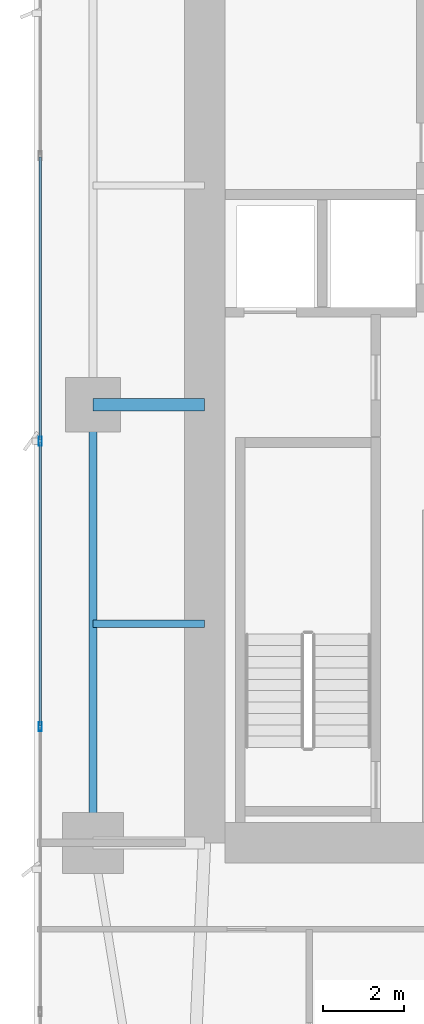
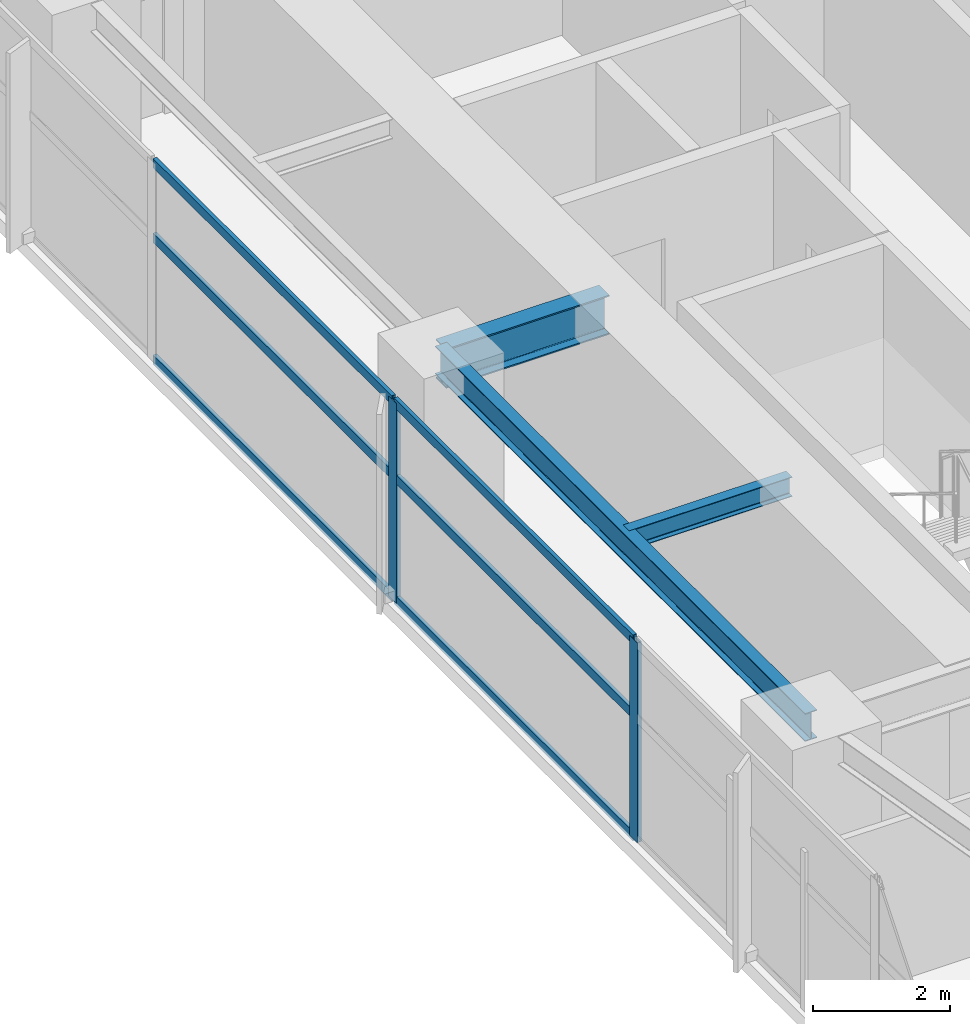
# One storey, part 8 of 30: 8 members, 3 beams, 1 element without a shape of its own.
"""IFC4 building model written with IfcOpenShell, lengths in metres."""

from ifc_helpers import new_model, si_unit, direction, frame, origin, origin_2d, place, context, subcontext, project, spatial, hollow_rectangle, i_section, extrude, material, layer, layer_set, material_profile, profile_set, type_object, element, aggregate, save


model = new_model("IFC4")

# Units and contexts
model_context = context("Model", 3, precision=1e-05, world=origin(), true_north=direction((0.0, 1.0)))
body_context = subcontext(model_context, "Body", "Model", "MODEL_VIEW")
ifc_project = project(units=[si_unit("LENGTHUNIT", "METRE"), si_unit("AREAUNIT", "SQUARE_METRE"), si_unit("VOLUMEUNIT", "CUBIC_METRE"), si_unit("PLANEANGLEUNIT", "RADIAN"), si_unit("MASSUNIT", "GRAM", prefix="KILO")], contexts=[model_context])

# Site, building, storey
site_placement = place(None, origin())
site = spatial("IfcSite", under=ifc_project, at=site_placement, CompositionType="ELEMENT")
building_placement = place(site_placement, origin())
building = spatial("IfcBuilding", under=site, at=building_placement, Name="Calvorn Quay Hotel", CompositionType="ELEMENT")
storey_placement = place(building_placement, frame((0.0, 0.0, 30.800048828125)))
storey = spatial("IfcBuildingStorey", under=building, at=storey_placement, Name="L06", CompositionType="ELEMENT", Elevation=30.800048828125)

# Beams
ifc_material_1 = material(Name="Steel Q390GJC", Category="steel")
ifc_material_profile_1 = material_profile(ifc_material_1, i_section(OverallWidth=0.300048828125, OverallDepth=0.699951171875, WebThickness=0.012939453125, FlangeThickness=0.02392578125, FilletRadius=0.02392578125, at=origin_2d()), Name="HN700x300x13x24")
ifc_profile_set_1 = profile_set([ifc_material_profile_1], Name="Steel Q390GJC")
beam_type_1 = type_object("IfcBeamType", Name="BM-GIRD-MAIN", PredefinedType="BEAM", material=ifc_profile_set_1)
beam_1_placement = place(storey_placement, frame((1.449951171875, 27.60009765625, 3.18994140625), z_axis=(1.0, 0.0, 0.0), x_axis=(0.0, 1.0, 0.0)))
element("IfcBeam", 1, at=beam_1_placement, inside=storey, type_object=beam_type_1, Name="Beam BG-L06-W2", PredefinedType="BEAM", context=body_context, shape_type="SweptSolid", body=[
    extrude(i_section(OverallWidth=0.300048828125, OverallDepth=0.699951171875, WebThickness=0.012939453125, FlangeThickness=0.02392578125, FilletRadius=0.02392578125, at=origin_2d()), origin(), (0.0, 0.0, 1.0), 2.75),
])
ifc_material_2 = material(Name="Steel Q355B", Category="steel")
ifc_material_profile_2 = material_profile(ifc_material_2, i_section(OverallWidth=0.175048828125, OverallDepth=0.35009765625, WebThickness=0.007080078125, FlangeThickness=0.010986328125, FilletRadius=0.013916015625, at=origin_2d()), Name="HN350x175x7x11")
ifc_profile_set_2 = profile_set([ifc_material_profile_2], Name="Steel Q355B")
beam_type_2 = type_object("IfcBeamType", Name="BM-JOIST-SEC", PredefinedType="JOIST", material=ifc_profile_set_2)
beam_2_placement = place(storey_placement, frame((1.449951171875, 22.199951171875, 3.364990234375), z_axis=(1.0, 0.0, 0.0), x_axis=(0.0, 1.0, 0.0)))
element("IfcBeam", 2, at=beam_2_placement, inside=storey, type_object=beam_type_2, Name="Beam BJ-L06-W3", PredefinedType="JOIST", context=body_context, shape_type="SweptSolid", body=[
    extrude(i_section(OverallWidth=0.175048828125, OverallDepth=0.35009765625, WebThickness=0.007080078125, FlangeThickness=0.010986328125, FilletRadius=0.013916015625, at=origin_2d()), origin(), (0.0, 0.0, 1.0), 2.75),
])
ifc_material_3 = material(Name="Steel Q355B", Category="steel")
ifc_material_profile_3 = material_profile(ifc_material_3, i_section(OverallWidth=0.199951171875, OverallDepth=0.5, WebThickness=0.010009765625, FlangeThickness=0.01611328125, FilletRadius=0.01611328125, at=origin_2d()), Name="HN500x200x10x16")
ifc_profile_set_3 = profile_set([ifc_material_profile_3], Name="Steel Q355B")
beam_type_3 = type_object("IfcBeamType", Name="BM-SPANDREL-Z1", PredefinedType="SPANDREL", material=ifc_profile_set_3)
beam_3_placement = place(storey_placement, frame((1.449951171875, 16.800048828125, 3.2900390625), z_axis=(0.0, 1.0, 0.0), x_axis=(-1.0, 0.0, 0.0)))
element("IfcBeam", 3, at=beam_3_placement, inside=storey, type_object=beam_type_3, Name="Beam BSP-L06-W2", PredefinedType="SPANDREL", context=body_context, shape_type="SweptSolid", body=[
    extrude(i_section(OverallWidth=0.199951171875, OverallDepth=0.5, WebThickness=0.010009765625, FlangeThickness=0.01611328125, FilletRadius=0.01611328125, at=origin_2d()), origin(), (0.0, 0.0, 1.0), 10.800048828125),
])

# Curtain wall, members
ifc_material_4 = material(Name="Pale Anodised Aluminium and Low-E Glass", Category="aluminium")
ifc_layer = layer(ifc_material_4, 0.219970703125)
ifc_layer_set = layer_set([ifc_layer], Name="CW-SYS-Z1")
curtain_wall_type = type_object("IfcCurtainWallType", Name="CW-SYS-Z1", PredefinedType="NOTDEFINED", material=ifc_layer_set)
curtain_wall_placement = place(storey_placement, origin())
curtain_wall = element("IfcCurtainWall", 4, at=curtain_wall_placement, inside=storey, type_object=curtain_wall_type, Name="Tower West Curtain Wall (L06)", PredefinedType="NOTDEFINED")
ifc_material_5 = material(Name="Pale Anodised Aluminium 6063-T6", Category="aluminium")
ifc_material_profile_4 = material_profile(ifc_material_5, hollow_rectangle(XDim=0.074951171875, YDim=0.219970703125, WallThickness=0.00439453125, at=origin_2d()), Name="ALU-M220x75x4.5")
ifc_profile_set_4 = profile_set([ifc_material_profile_4], Name="Pale Anodised Aluminium 6063-T6")
member_type_1 = type_object("IfcMemberType", Name="CW-SYS-Z1-MUL", PredefinedType="MULLION", material=ifc_profile_set_4)
member_1_placement = place(storey_placement, frame((0.14990234375, 19.666748046875, 0.0), z_axis=(0.0, 0.0, 1.0), x_axis=(-1.0, 0.0, 0.0)))
member_1 = element("IfcMember", 5, at=member_1_placement, type_object=member_type_1, Name="CW-L06-W mullion 3", PredefinedType="MULLION", context=body_context, shape_type="SweptSolid", body=[
    extrude(hollow_rectangle(XDim=0.074951171875, YDim=0.219970703125, WallThickness=0.00439453125, at=origin_2d()), origin(), (0.0, 0.0, 1.0), 3.56005859375),
])
member_2_placement = place(storey_placement, frame((0.14990234375, 26.699951171875, 0.0), z_axis=(0.0, 0.0, 1.0), x_axis=(-1.0, 0.0, 0.0)))
member_2 = element("IfcMember", 6, at=member_2_placement, type_object=member_type_1, Name="CW-L06-W mullion 4", PredefinedType="MULLION", context=body_context, shape_type="SweptSolid", body=[
    extrude(hollow_rectangle(XDim=0.074951171875, YDim=0.219970703125, WallThickness=0.00439453125, at=origin_2d()), origin(), (0.0, 0.0, 1.0), 3.56005859375),
])
ifc_material_6 = material(Name="Pale Anodised Aluminium 6063-T6", Category="aluminium")
ifc_material_profile_5 = material_profile(ifc_material_6, hollow_rectangle(XDim=0.06494140625, YDim=0.1650390625, WallThickness=0.00341796875, at=origin_2d()), Name="ALU-T165x65x3.5")
ifc_profile_set_5 = profile_set([ifc_material_profile_5], Name="Pale Anodised Aluminium 6063-T6")
member_type_2 = type_object("IfcMemberType", Name="CW-SYS-Z1-TRN", PredefinedType="USERDEFINED", material=ifc_profile_set_5)
member_3_placement = place(storey_placement, frame((0.14990234375, 19.69677734375, 0.030029296875), z_axis=(0.0, 1.0, 0.0), x_axis=(-1.0, 0.0, 0.0)))
member_3 = element("IfcMember", 7, at=member_3_placement, type_object=member_type_2, Name="CW-L06-W transom 3.1", ObjectType="TRANSOM", PredefinedType="USERDEFINED", context=body_context, shape_type="SweptSolid", body=[
    extrude(hollow_rectangle(XDim=0.06494140625, YDim=0.1650390625, WallThickness=0.00341796875, at=origin_2d()), origin(), (0.0, 0.0, 1.0), 6.97314453125),
])
member_4_placement = place(storey_placement, frame((0.14990234375, 19.69677734375, 2.199951171875), z_axis=(0.0, 1.0, 0.0), x_axis=(-1.0, 0.0, 0.0)))
member_4 = element("IfcMember", 8, at=member_4_placement, type_object=member_type_2, Name="CW-L06-W transom 3.2", ObjectType="TRANSOM", PredefinedType="USERDEFINED", context=body_context, shape_type="SweptSolid", body=[
    extrude(hollow_rectangle(XDim=0.06494140625, YDim=0.1650390625, WallThickness=0.00341796875, at=origin_2d()), origin(), (0.0, 0.0, 1.0), 6.97314453125),
])
member_5_placement = place(storey_placement, frame((0.14990234375, 19.69677734375, 3.530029296875), z_axis=(0.0, 1.0, 0.0), x_axis=(-1.0, 0.0, 0.0)))
member_5 = element("IfcMember", 9, at=member_5_placement, type_object=member_type_2, Name="CW-L06-W transom 3.3", ObjectType="TRANSOM", PredefinedType="USERDEFINED", context=body_context, shape_type="SweptSolid", body=[
    extrude(hollow_rectangle(XDim=0.06494140625, YDim=0.1650390625, WallThickness=0.00341796875, at=origin_2d()), origin(), (0.0, 0.0, 1.0), 6.97314453125),
])
member_6_placement = place(storey_placement, frame((0.14990234375, 26.72998046875, 0.030029296875), z_axis=(0.0, 1.0, 0.0), x_axis=(-1.0, 0.0, 0.0)))
member_6 = element("IfcMember", 10, at=member_6_placement, type_object=member_type_2, Name="CW-L06-W transom 4.1", ObjectType="TRANSOM", PredefinedType="USERDEFINED", context=body_context, shape_type="SweptSolid", body=[
    extrude(hollow_rectangle(XDim=0.06494140625, YDim=0.1650390625, WallThickness=0.00341796875, at=origin_2d()), origin(), (0.0, 0.0, 1.0), 6.973388671875),
])
member_7_placement = place(storey_placement, frame((0.14990234375, 26.72998046875, 2.199951171875), z_axis=(0.0, 1.0, 0.0), x_axis=(-1.0, 0.0, 0.0)))
member_7 = element("IfcMember", 11, at=member_7_placement, type_object=member_type_2, Name="CW-L06-W transom 4.2", ObjectType="TRANSOM", PredefinedType="USERDEFINED", context=body_context, shape_type="SweptSolid", body=[
    extrude(hollow_rectangle(XDim=0.06494140625, YDim=0.1650390625, WallThickness=0.00341796875, at=origin_2d()), origin(), (0.0, 0.0, 1.0), 6.973388671875),
])
member_8_placement = place(storey_placement, frame((0.14990234375, 26.72998046875, 3.530029296875), z_axis=(0.0, 1.0, 0.0), x_axis=(-1.0, 0.0, 0.0)))
member_8 = element("IfcMember", 12, at=member_8_placement, type_object=member_type_2, Name="CW-L06-W transom 4.3", ObjectType="TRANSOM", PredefinedType="USERDEFINED", context=body_context, shape_type="SweptSolid", body=[
    extrude(hollow_rectangle(XDim=0.06494140625, YDim=0.1650390625, WallThickness=0.00341796875, at=origin_2d()), origin(), (0.0, 0.0, 1.0), 6.973388671875),
])
aggregate(curtain_wall, [member_1, member_2, member_3, member_4, member_5, member_6, member_7, member_8])

save(model, "model.ifc")
